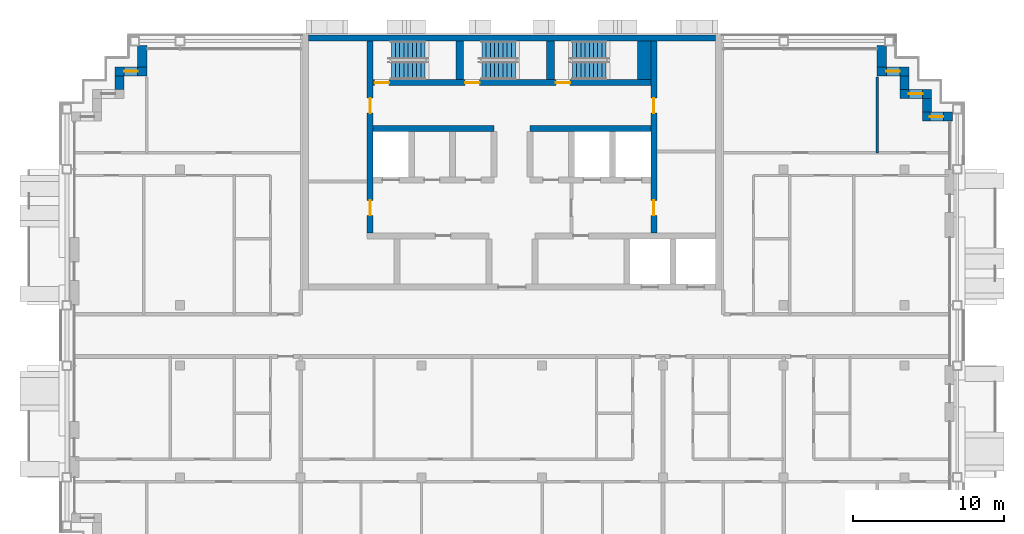
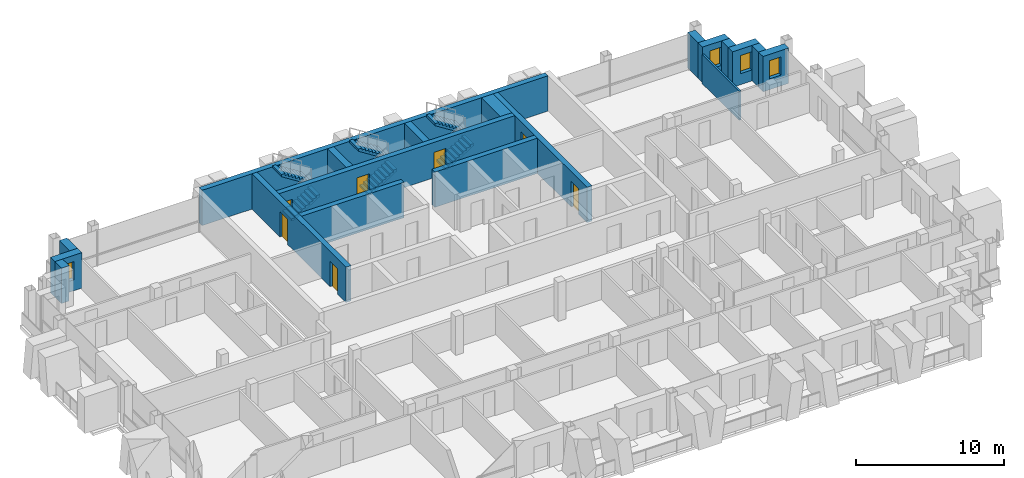
# One storey, part 11 of 15: 19 walls, 7 doors, 6 stair flights, 4 windows, 11 openings, 3 elements without a shape of their own.
"""IFC4 building model written with IfcOpenShell, lengths in metres."""

from ifc_helpers import new_model, si_unit, direction, frame, frame_2d, origin, place, context, subcontext, project, spatial, polyline, rectangle, outline, extrude, material, layer, layer_set, type_object, element, fill, aggregate, save


model = new_model("IFC4")

# Units and contexts
model_context = context("Model", 3, precision=1e-05, world=origin(), true_north=direction((0.0, 1.0)))
body_context = subcontext(model_context, "Body", "Model", "MODEL_VIEW")
ifc_project = project(units=[si_unit("LENGTHUNIT", "METRE"), si_unit("AREAUNIT", "SQUARE_METRE"), si_unit("VOLUMEUNIT", "CUBIC_METRE"), si_unit("PLANEANGLEUNIT", "RADIAN"), si_unit("MASSUNIT", "GRAM", prefix="KILO")], contexts=[model_context])

# Site, building, storey
site_placement = place(None, origin())
site = spatial("IfcSite", under=ifc_project, at=site_placement, CompositionType="ELEMENT")
building_placement = place(site_placement, origin())
building = spatial("IfcBuilding", under=site, at=building_placement, Name="Vidyagriha Tower", CompositionType="ELEMENT")
storey_placement = place(building_placement, frame((0.0, 0.0, 210.800048828125)))
storey = spatial("IfcBuildingStorey", under=building, at=storey_placement, Name="L54", CompositionType="ELEMENT", Elevation=210.800048828125)

# Wall, opening, window
ifc_material_1 = material(Name="Precast concrete C40/50 with brick facing", Category="concrete")
ifc_layer_1 = layer(ifc_material_1, 0.60009765625)
ifc_layer_set_1 = layer_set([ifc_layer_1], Name="Precast concrete C40/50 with brick facing")
wall_type_1 = type_object("IfcWallType", Name="Brick-faced precast wall 600", PredefinedType="STANDARD", material=ifc_layer_set_1)
wall_1_placement = place(storey_placement, frame((29.199951171875, 14.5, 0.0), z_axis=(0.0, 0.0, 1.0), x_axis=(-1.0, 0.0, 0.0)))
wall_1 = element("IfcWall", 1, at=wall_1_placement, inside=storey, type_object=wall_type_1, Name="Stepped corner wall L54 R01", PredefinedType="STANDARD", context=body_context, shape_type="SweptSolid", body=[
    extrude(rectangle(XDim=2.0, YDim=0.60009765625, at=frame_2d((1.0, 0.0))), origin(), (0.0, 0.0, 1.0), 2.919921875),
])
opening_1_placement = place(wall_1_placement, frame((0.610107421875, 0.0, 0.89990234375)))
opening_1 = element("IfcOpeningElement", 2, at=opening_1_placement, cuts=wall_1, Name="Opening WN1", PredefinedType="OPENING", context=body_context, shape_type="SweptSolid", body=[
    extrude(rectangle(XDim=0.89990234375, YDim=1.5, at=frame_2d((0.449951171875, 0.75))), frame((0.0, 0.31005859375, 0.0), z_axis=(0.0, -1.0, 0.0), x_axis=(1.0, 0.0, 0.0)), (0.0, 0.0, 1.0), 0.6201171875),
])
ifc_material_2 = material(Name="Aluminium and glass window", Category="aluminium")
window_type = type_object("IfcWindowType", Name="Reveal window 900x1500", PartitioningType="NOTDEFINED", PredefinedType="WINDOW", material=ifc_material_2)
window_1_placement = place(opening_1_placement, origin())
window_1 = element("IfcWindow", 3, at=window_1_placement, inside=storey, type_object=window_type, Name="Reveal window L54 R01", OverallHeight=1.5, OverallWidth=0.89990234375, PartitioningType="SINGLE_PANEL", PredefinedType="WINDOW", context=body_context, shape_type="SweptSolid", body=[
    extrude(rectangle(XDim=0.89990234375, YDim=1.5, at=frame_2d((0.449951171875, 0.75))), frame((0.0, 0.030029296875, 0.0), z_axis=(0.0, -1.0, 0.0), x_axis=(1.0, 0.0, 0.0)), (0.0, 0.0, 1.0), 0.06005859375),
])
fill(opening_1, window_1)

# Wall
wall_2_placement = place(storey_placement, frame((27.5, 14.800048828125, 0.0), z_axis=(0.0, 0.0, 1.0), x_axis=(0.0, 1.0, 0.0)))
element("IfcWall", 4, at=wall_2_placement, inside=storey, type_object=wall_type_1, Name="Stepped corner wall L54 R02", PredefinedType="STANDARD", context=body_context, shape_type="SweptSolid", body=[
    extrude(rectangle(XDim=0.89990234375, YDim=0.60009765625, at=frame_2d((0.449951171875, 0.0))), origin(), (0.0, 0.0, 1.0), 2.919921875),
])

# Wall, opening, window
wall_3_placement = place(storey_placement, frame((27.800048828125, 16.0, 0.0), z_axis=(0.0, 0.0, 1.0), x_axis=(-1.0, 0.0, 0.0)))
wall_3 = element("IfcWall", 5, at=wall_3_placement, inside=storey, type_object=wall_type_1, Name="Stepped corner wall L54 R03", PredefinedType="STANDARD", context=body_context, shape_type="SweptSolid", body=[
    extrude(rectangle(XDim=2.10009765625, YDim=0.60009765625, at=frame_2d((1.050048828125, 0.0))), origin(), (0.0, 0.0, 1.0), 2.919921875),
])
opening_2_placement = place(wall_3_placement, frame((0.60009765625, 0.0, 0.89990234375)))
opening_2 = element("IfcOpeningElement", 6, at=opening_2_placement, cuts=wall_3, Name="Opening WN1", PredefinedType="OPENING", context=body_context, shape_type="SweptSolid", body=[
    extrude(rectangle(XDim=0.89990234375, YDim=1.5, at=frame_2d((0.449951171875, 0.75))), frame((0.0, 0.31005859375, 0.0), z_axis=(0.0, -1.0, 0.0), x_axis=(1.0, 0.0, 0.0)), (0.0, 0.0, 1.0), 0.6201171875),
])
window_2_placement = place(opening_2_placement, origin())
window_2 = element("IfcWindow", 7, at=window_2_placement, inside=storey, type_object=window_type, Name="Reveal window L54 R03", OverallHeight=1.5, OverallWidth=0.89990234375, PartitioningType="SINGLE_PANEL", PredefinedType="WINDOW", context=body_context, shape_type="SweptSolid", body=[
    extrude(rectangle(XDim=0.89990234375, YDim=1.5, at=frame_2d((0.449951171875, 0.75))), frame((0.0, 0.030029296875, 0.0), z_axis=(0.0, -1.0, 0.0), x_axis=(1.0, 0.0, 0.0)), (0.0, 0.0, 1.0), 0.06005859375),
])
fill(opening_2, window_2)

# Wall
wall_4_placement = place(storey_placement, frame((26.0, 16.300048828125, 0.0), z_axis=(0.0, 0.0, 1.0), x_axis=(0.0, 1.0, 0.0)))
element("IfcWall", 8, at=wall_4_placement, inside=storey, type_object=wall_type_1, Name="Stepped corner wall L54 R04", PredefinedType="STANDARD", context=body_context, shape_type="SweptSolid", body=[
    extrude(rectangle(XDim=0.89990234375, YDim=0.60009765625, at=frame_2d((0.449951171875, 0.0))), origin(), (0.0, 0.0, 1.0), 2.919921875),
])

# Wall, opening, window
wall_5_placement = place(storey_placement, frame((26.300048828125, 17.5, 0.0), z_axis=(0.0, 0.0, 1.0), x_axis=(-1.0, 0.0, 0.0)))
wall_5 = element("IfcWall", 9, at=wall_5_placement, inside=storey, type_object=wall_type_1, Name="Stepped corner wall L54 R05", PredefinedType="STANDARD", context=body_context, shape_type="SweptSolid", body=[
    extrude(rectangle(XDim=2.10009765625, YDim=0.60009765625, at=frame_2d((1.050048828125, 0.0))), origin(), (0.0, 0.0, 1.0), 2.919921875),
])
opening_3_placement = place(wall_5_placement, frame((0.60009765625, 0.0, 0.89990234375)))
opening_3 = element("IfcOpeningElement", 10, at=opening_3_placement, cuts=wall_5, Name="Opening WN1", PredefinedType="OPENING", context=body_context, shape_type="SweptSolid", body=[
    extrude(rectangle(XDim=0.89990234375, YDim=1.5, at=frame_2d((0.449951171875, 0.75))), frame((0.0, 0.31005859375, 0.0), z_axis=(0.0, -1.0, 0.0), x_axis=(1.0, 0.0, 0.0)), (0.0, 0.0, 1.0), 0.6201171875),
])
window_3_placement = place(opening_3_placement, origin())
window_3 = element("IfcWindow", 11, at=window_3_placement, inside=storey, type_object=window_type, Name="Reveal window L54 R05", OverallHeight=1.5, OverallWidth=0.89990234375, PartitioningType="SINGLE_PANEL", PredefinedType="WINDOW", context=body_context, shape_type="SweptSolid", body=[
    extrude(rectangle(XDim=0.89990234375, YDim=1.5, at=frame_2d((0.449951171875, 0.75))), frame((0.0, 0.030029296875, 0.0), z_axis=(0.0, -1.0, 0.0), x_axis=(1.0, 0.0, 0.0)), (0.0, 0.0, 1.0), 0.06005859375),
])
fill(opening_3, window_3)

# Walls
for number, where, z_axis, x_axis, name in (
    (12, (24.5, 17.800048828125, 0.0), (0.0, 0.0, 1.0), (0.0, 1.0, 0.0), "Stepped corner wall L54 R06"),
    (13, (-24.5, 19.199951171875, 0.0), (0.0, 0.0, 1.0), (0.0, -1.0, 0.0), "Stepped corner wall L54 R10"),
):
    element("IfcWall", number, at=place(storey_placement, frame(where, z_axis=z_axis, x_axis=x_axis)), inside=storey, type_object=wall_type_1, Name=name, PredefinedType="STANDARD", context=body_context, shape_type="SweptSolid", body=[
        extrude(rectangle(XDim=1.39990234375, YDim=0.60009765625, at=frame_2d((0.699951171875, 0.0))), origin(), (0.0, 0.0, 1.0), 2.919921875),
    ])

# Wall, opening, window
wall_6_placement = place(storey_placement, frame((-24.199951171875, 17.5, 0.0), z_axis=(0.0, 0.0, 1.0), x_axis=(-1.0, 0.0, 0.0)))
wall_6 = element("IfcWall", 14, at=wall_6_placement, inside=storey, type_object=wall_type_1, Name="Stepped corner wall L54 R11", PredefinedType="STANDARD", context=body_context, shape_type="SweptSolid", body=[
    extrude(rectangle(XDim=2.10009765625, YDim=0.60009765625, at=frame_2d((1.050048828125, 0.0))), origin(), (0.0, 0.0, 1.0), 2.919921875),
])
opening_4_placement = place(wall_6_placement, frame((0.60009765625, 0.0, 0.89990234375)))
opening_4 = element("IfcOpeningElement", 15, at=opening_4_placement, cuts=wall_6, Name="Opening WN1", PredefinedType="OPENING", context=body_context, shape_type="SweptSolid", body=[
    extrude(rectangle(XDim=0.89990234375, YDim=1.5, at=frame_2d((0.449951171875, 0.75))), frame((0.0, 0.31005859375, 0.0), z_axis=(0.0, -1.0, 0.0), x_axis=(1.0, 0.0, 0.0)), (0.0, 0.0, 1.0), 0.6201171875),
])
window_4_placement = place(opening_4_placement, origin())
window_4 = element("IfcWindow", 16, at=window_4_placement, inside=storey, type_object=window_type, Name="Reveal window L54 R11", OverallHeight=1.5, OverallWidth=0.89990234375, PartitioningType="SINGLE_PANEL", PredefinedType="WINDOW", context=body_context, shape_type="SweptSolid", body=[
    extrude(rectangle(XDim=0.89990234375, YDim=1.5, at=frame_2d((0.449951171875, 0.75))), frame((0.0, 0.030029296875, 0.0), z_axis=(0.0, -1.0, 0.0), x_axis=(1.0, 0.0, 0.0)), (0.0, 0.0, 1.0), 0.06005859375),
])
fill(opening_4, window_4)

# Walls
wall_7_placement = place(storey_placement, frame((-26.0, 17.199951171875, 0.0), z_axis=(0.0, 0.0, 1.0), x_axis=(0.0, -1.0, 0.0)))
element("IfcWall", 17, at=wall_7_placement, inside=storey, type_object=wall_type_1, Name="Stepped corner wall L54 R12", PredefinedType="STANDARD", context=body_context, shape_type="SweptSolid", body=[
    extrude(rectangle(XDim=0.89990234375, YDim=0.60009765625, at=frame_2d((0.449951171875, 0.0))), origin(), (0.0, 0.0, 1.0), 2.919921875),
])
ifc_material_3 = material(Name="Concrete C60/75", Category="concrete")
ifc_layer_2 = layer(ifc_material_3, 0.39990234375)
ifc_layer_set_2 = layer_set([ifc_layer_2], Name="Concrete C60/75")
wall_type_2 = type_object("IfcWallType", Name="Core shear wall 400 mm", PredefinedType="SHEAR", material=ifc_layer_set_2)
wall_8_placement = place(storey_placement, frame((-13.5, 19.699951171875, 0.0)))
element("IfcWall", 18, at=wall_8_placement, inside=storey, type_object=wall_type_2, Name="Core north wall", PredefinedType="SHEAR", context=body_context, shape_type="SweptSolid", body=[
    extrude(rectangle(XDim=27.0, YDim=0.39990234375, at=frame_2d((13.5, 0.0))), origin(), (0.0, 0.0, 1.0), 2.919921875),
])

# Wall, openings, doors
wall_9_placement = place(storey_placement, frame((-9.39990234375, 6.800048828125, 0.0), z_axis=(0.0, 0.0, 1.0), x_axis=(0.0, 1.0, 0.0)))
wall_9 = element("IfcWall", 19, at=wall_9_placement, inside=storey, type_object=wall_type_2, Name="Core west spine wall", PredefinedType="SHEAR", context=body_context, shape_type="SweptSolid", body=[
    extrude(rectangle(XDim=12.699951171875, YDim=0.39990234375, at=frame_2d((6.35009765625, 0.0))), origin(), (0.0, 0.0, 1.0), 2.919921875),
])
opening_5_placement = place(wall_9_placement, frame((1.14990234375, 0.0, 0.0)))
opening_5 = element("IfcOpeningElement", 20, at=opening_5_placement, cuts=wall_9, Name="Opening D54-11", PredefinedType="OPENING", context=body_context, shape_type="SweptSolid", body=[
    extrude(rectangle(XDim=1.0, YDim=2.10009765625, at=frame_2d((0.5, 1.050048828125))), frame((0.0, 0.2099609375, 0.0), z_axis=(0.0, -1.0, 0.0), x_axis=(1.0, 0.0, 0.0)), (0.0, 0.0, 1.0), 0.419921875),
])
opening_6_placement = place(wall_9_placement, frame((7.925048828125, 0.0, 0.0)))
opening_6 = element("IfcOpeningElement", 21, at=opening_6_placement, cuts=wall_9, Name="Opening D54-12", PredefinedType="OPENING", context=body_context, shape_type="SweptSolid", body=[
    extrude(rectangle(XDim=1.0, YDim=2.10009765625, at=frame_2d((0.5, 1.050048828125))), frame((0.0, 0.2099609375, 0.0), z_axis=(0.0, -1.0, 0.0), x_axis=(1.0, 0.0, 0.0)), (0.0, 0.0, 1.0), 0.419921875),
])
ifc_material_4 = material(Name="Hollow metal door leaf")
door_type_1 = type_object("IfcDoorType", Name="Core room door 1000 x 2100 mm EI 60", OperationType="NOTDEFINED", PredefinedType="DOOR", material=ifc_material_4)
door_1_placement = place(opening_5_placement, frame((1.0, 0.0, 0.0), z_axis=(0.0, 0.0, 1.0), x_axis=(-1.0, 0.0, 0.0)))
door_1 = element("IfcDoor", 22, at=door_1_placement, inside=storey, type_object=door_type_1, Name="Door Cleaners Store 54.W1", OperationType="SINGLE_SWING_RIGHT", OverallHeight=2.10009765625, OverallWidth=1.0, PredefinedType="DOOR", context=body_context, shape_type="SweptSolid", body=[
    extrude(rectangle(XDim=1.0, YDim=2.10009765625, at=frame_2d((0.5, 1.050048828125))), frame((0.0, 0.02490234375, 0.0), z_axis=(0.0, -1.0, 0.0), x_axis=(1.0, 0.0, 0.0)), (0.0, 0.0, 1.0), 0.050048828125),
])
fill(opening_5, door_1)
door_2_placement = place(opening_6_placement, frame((1.0, 0.0, 0.0), z_axis=(0.0, 0.0, 1.0), x_axis=(-1.0, 0.0, 0.0)))
door_2 = element("IfcDoor", 23, at=door_2_placement, inside=storey, type_object=door_type_1, Name="Door Pressurisation Plant Room 54.W2", OperationType="SINGLE_SWING_LEFT", OverallHeight=2.10009765625, OverallWidth=1.0, PredefinedType="DOOR", context=body_context, shape_type="SweptSolid", body=[
    extrude(rectangle(XDim=1.0, YDim=2.10009765625, at=frame_2d((0.5, 1.050048828125))), frame((0.0, 0.02490234375, 0.0), z_axis=(0.0, -1.0, 0.0), x_axis=(1.0, 0.0, 0.0)), (0.0, 0.0, 1.0), 0.050048828125),
])
fill(opening_6, door_2)

wall_10_placement = place(storey_placement, frame((9.39990234375, 6.800048828125, 0.0), z_axis=(0.0, 0.0, 1.0), x_axis=(0.0, 1.0, 0.0)))
wall_10 = element("IfcWall", 24, at=wall_10_placement, inside=storey, type_object=wall_type_2, Name="Core east spine wall", PredefinedType="SHEAR", context=body_context, shape_type="SweptSolid", body=[
    extrude(rectangle(XDim=12.699951171875, YDim=0.39990234375, at=frame_2d((6.35009765625, 0.0))), origin(), (0.0, 0.0, 1.0), 2.919921875),
])
opening_7_placement = place(wall_10_placement, frame((1.14990234375, 0.0, 0.0)))
opening_7 = element("IfcOpeningElement", 25, at=opening_7_placement, cuts=wall_10, Name="Opening D54-13", PredefinedType="OPENING", context=body_context, shape_type="SweptSolid", body=[
    extrude(rectangle(XDim=1.0, YDim=2.10009765625, at=frame_2d((0.5, 1.050048828125))), frame((0.0, 0.2099609375, 0.0), z_axis=(0.0, -1.0, 0.0), x_axis=(1.0, 0.0, 0.0)), (0.0, 0.0, 1.0), 0.419921875),
])
opening_8_placement = place(wall_10_placement, frame((7.925048828125, 0.0, 0.0)))
opening_8 = element("IfcOpeningElement", 26, at=opening_8_placement, cuts=wall_10, Name="Opening D54-14", PredefinedType="OPENING", context=body_context, shape_type="SweptSolid", body=[
    extrude(rectangle(XDim=1.0, YDim=2.10009765625, at=frame_2d((0.5, 1.050048828125))), frame((0.0, 0.2099609375, 0.0), z_axis=(0.0, -1.0, 0.0), x_axis=(1.0, 0.0, 0.0)), (0.0, 0.0, 1.0), 0.419921875),
])
door_3_placement = place(opening_7_placement, origin())
door_3 = element("IfcDoor", 27, at=door_3_placement, inside=storey, type_object=door_type_1, Name="Door Riser Room 54.E1", OperationType="SINGLE_SWING_RIGHT", OverallHeight=2.10009765625, OverallWidth=1.0, PredefinedType="DOOR", context=body_context, shape_type="SweptSolid", body=[
    extrude(rectangle(XDim=1.0, YDim=2.10009765625, at=frame_2d((0.5, 1.050048828125))), frame((0.0, 0.02490234375, 0.0), z_axis=(0.0, -1.0, 0.0), x_axis=(1.0, 0.0, 0.0)), (0.0, 0.0, 1.0), 0.050048828125),
])
fill(opening_7, door_3)
door_4_placement = place(opening_8_placement, origin())
door_4 = element("IfcDoor", 28, at=door_4_placement, inside=storey, type_object=door_type_1, Name="Door Switchgear Room 54.E2", OperationType="SINGLE_SWING_LEFT", OverallHeight=2.10009765625, OverallWidth=1.0, PredefinedType="DOOR", context=body_context, shape_type="SweptSolid", body=[
    extrude(rectangle(XDim=1.0, YDim=2.10009765625, at=frame_2d((0.5, 1.050048828125))), frame((0.0, 0.02490234375, 0.0), z_axis=(0.0, -1.0, 0.0), x_axis=(1.0, 0.0, 0.0)), (0.0, 0.0, 1.0), 0.050048828125),
])
fill(opening_8, door_4)

# Walls
for number, where, name in (
    (29, (-9.199951171875, 13.699951171875, 0.0), "Core row N rear wall"),
    (30, (1.199951171875, 13.699951171875, 0.0), "Core row N rear wall"),
):
    element("IfcWall", number, at=place(storey_placement, frame(where)), inside=storey, type_object=wall_type_2, Name=name, PredefinedType="SHEAR", context=body_context, shape_type="SweptSolid", body=[
        extrude(rectangle(XDim=8.0, YDim=0.39990234375, at=frame_2d((4.0, 0.0))), origin(), (0.0, 0.0, 1.0), 2.919921875),
    ])

# Wall, openings, doors
wall_11_placement = place(storey_placement, frame((-9.199951171875, 16.75, 0.0)))
wall_11 = element("IfcWall", 31, at=wall_11_placement, inside=storey, type_object=wall_type_2, Name="Stair front wall", PredefinedType="SHEAR", context=body_context, shape_type="SweptSolid", body=[
    extrude(rectangle(XDim=18.39990234375, YDim=0.39990234375, at=frame_2d((9.199951171875, 0.0))), origin(), (0.0, 0.0, 1.0), 2.919921875),
])
opening_9_placement = place(wall_11_placement, frame((0.10009765625, 0.0, 0.0)))
opening_9 = element("IfcOpeningElement", 32, at=opening_9_placement, cuts=wall_11, Name="Opening D54-08", PredefinedType="OPENING", context=body_context, shape_type="SweptSolid", body=[
    extrude(rectangle(XDim=0.949951171875, YDim=2.10009765625, at=frame_2d((0.47509765625, 1.050048828125))), frame((0.0, 0.2099609375, 0.0), z_axis=(0.0, -1.0, 0.0), x_axis=(1.0, 0.0, 0.0)), (0.0, 0.0, 1.0), 0.419921875),
])
opening_10_placement = place(wall_11_placement, frame((6.10009765625, 0.0, 0.0)))
opening_10 = element("IfcOpeningElement", 33, at=opening_10_placement, cuts=wall_11, Name="Opening D54-09", PredefinedType="OPENING", context=body_context, shape_type="SweptSolid", body=[
    extrude(rectangle(XDim=0.949951171875, YDim=2.10009765625, at=frame_2d((0.47509765625, 1.050048828125))), frame((0.0, 0.2099609375, 0.0), z_axis=(0.0, -1.0, 0.0), x_axis=(1.0, 0.0, 0.0)), (0.0, 0.0, 1.0), 0.419921875),
])
opening_11_placement = place(wall_11_placement, frame((12.10009765625, 0.0, 0.0)))
opening_11 = element("IfcOpeningElement", 34, at=opening_11_placement, cuts=wall_11, Name="Opening D54-10", PredefinedType="OPENING", context=body_context, shape_type="SweptSolid", body=[
    extrude(rectangle(XDim=0.949951171875, YDim=2.10009765625, at=frame_2d((0.47509765625, 1.050048828125))), frame((0.0, 0.2099609375, 0.0), z_axis=(0.0, -1.0, 0.0), x_axis=(1.0, 0.0, 0.0)), (0.0, 0.0, 1.0), 0.419921875),
])
ifc_material_5 = material(Name="Hollow metal door leaf")
door_type_2 = type_object("IfcDoorType", Name="Exit stair door 950 x 2100 mm EI 90", OperationType="NOTDEFINED", PredefinedType="DOOR", material=ifc_material_5)
door_5_placement = place(opening_9_placement, origin())
door_5 = element("IfcDoor", 35, at=door_5_placement, inside=storey, type_object=door_type_2, Name="Stair door ST1 L54", OperationType="SINGLE_SWING_LEFT", OverallHeight=2.10009765625, OverallWidth=0.949951171875, PredefinedType="DOOR", context=body_context, shape_type="SweptSolid", body=[
    extrude(rectangle(XDim=0.949951171875, YDim=2.10009765625, at=frame_2d((0.47509765625, 1.050048828125))), frame((0.0, 0.02490234375, 0.0), z_axis=(0.0, -1.0, 0.0), x_axis=(1.0, 0.0, 0.0)), (0.0, 0.0, 1.0), 0.050048828125),
])
fill(opening_9, door_5)
door_6_placement = place(opening_10_placement, origin())
door_6 = element("IfcDoor", 36, at=door_6_placement, inside=storey, type_object=door_type_2, Name="Stair door ST2 L54", OperationType="SINGLE_SWING_LEFT", OverallHeight=2.10009765625, OverallWidth=0.949951171875, PredefinedType="DOOR", context=body_context, shape_type="SweptSolid", body=[
    extrude(rectangle(XDim=0.949951171875, YDim=2.10009765625, at=frame_2d((0.47509765625, 1.050048828125))), frame((0.0, 0.02490234375, 0.0), z_axis=(0.0, -1.0, 0.0), x_axis=(1.0, 0.0, 0.0)), (0.0, 0.0, 1.0), 0.050048828125),
])
fill(opening_10, door_6)
door_7_placement = place(opening_11_placement, origin())
door_7 = element("IfcDoor", 37, at=door_7_placement, inside=storey, type_object=door_type_2, Name="Stair door ST3 L54", OperationType="SINGLE_SWING_LEFT", OverallHeight=2.10009765625, OverallWidth=0.949951171875, PredefinedType="DOOR", context=body_context, shape_type="SweptSolid", body=[
    extrude(rectangle(XDim=0.949951171875, YDim=2.10009765625, at=frame_2d((0.47509765625, 1.050048828125))), frame((0.0, 0.02490234375, 0.0), z_axis=(0.0, -1.0, 0.0), x_axis=(1.0, 0.0, 0.0)), (0.0, 0.0, 1.0), 0.050048828125),
])
fill(opening_11, door_7)

# Walls
ifc_material_6 = material(Name="Concrete C60/75", Category="concrete")
ifc_layer_3 = layer(ifc_material_6, 0.5)
ifc_layer_set_3 = layer_set([ifc_layer_3], Name="Concrete C60/75")
wall_type_3 = type_object("IfcWallType", Name="Core shear wall 500 mm", PredefinedType="SHEAR", material=ifc_layer_set_3)
for number, where, z_axis, x_axis, name in (
    (38, (-3.449951171875, 16.949951171875, 0.0), (0.0, 0.0, 1.0), (0.0, 1.0, 0.0), "Stair partition wall 1"),
    (39, (2.550048828125, 16.949951171875, 0.0), (0.0, 0.0, 1.0), (0.0, 1.0, 0.0), "Stair partition wall 2"),
):
    element("IfcWall", number, at=place(storey_placement, frame(where, z_axis=z_axis, x_axis=x_axis)), inside=storey, type_object=wall_type_3, Name=name, PredefinedType="SHEAR", context=body_context, shape_type="SweptSolid", body=[
        extrude(rectangle(XDim=2.550048828125, YDim=0.5, at=frame_2d((1.27490234375, 0.0))), origin(), (0.0, 0.0, 1.0), 2.919921875),
    ])
ifc_material_7 = material(Name="Concrete C60/75", Category="concrete")
ifc_layer_4 = layer(ifc_material_7, 0.89990234375)
ifc_layer_set_4 = layer_set([ifc_layer_4], Name="Concrete C60/75")
wall_type_4 = type_object("IfcWallType", Name="Core shear wall 900 mm", PredefinedType="SHEAR", material=ifc_layer_set_4)
wall_12_placement = place(storey_placement, frame((8.75, 16.949951171875, 0.0), z_axis=(0.0, 0.0, 1.0), x_axis=(0.0, 1.0, 0.0)))
element("IfcWall", 40, at=wall_12_placement, inside=storey, type_object=wall_type_4, Name="Stair end wall", PredefinedType="SHEAR", context=body_context, shape_type="SweptSolid", body=[
    extrude(rectangle(XDim=2.550048828125, YDim=0.89990234375, at=frame_2d((1.27490234375, 0.0))), origin(), (0.0, 0.0, 1.0), 2.919921875),
])
ifc_material_8 = material(Name="Gypsum board partition")
ifc_layer_5 = layer(ifc_material_8, 0.14990234375)
ifc_layer_set_5 = layer_set([ifc_layer_5], Name="Gypsum board partition")
wall_type_5 = type_object("IfcWallType", Name="Gypsum board partition 150", PredefinedType="PARTITIONING", material=ifc_layer_set_5)
wall_13_placement = place(storey_placement, frame((24.199951171875, 17.1201171875, 0.0), z_axis=(0.0, 0.0, 1.0), x_axis=(0.0, -1.0, 0.0)))
element("IfcWall", 41, at=wall_13_placement, inside=storey, type_object=wall_type_5, Name="Wall all-L54-w093", PredefinedType="PARTITIONING", context=body_context, shape_type="SweptSolid", body=[
    extrude(rectangle(XDim=5.02001953125, YDim=0.14990234375, at=frame_2d((2.510009765625, 0.0))), origin(), (0.0, 0.0, 1.0), 2.39990234375),
])

# Stair, stair flights
ifc_material_9 = material(Name="Concrete C40/50", Category="concrete")
stair_type = type_object("IfcStairType", Name="Exit stair, half-turn, precast flights", PredefinedType="HALF_TURN_STAIR", material=ifc_material_9)
stair_1_placement = place(storey_placement, origin())
stair_1 = element("IfcStair", 42, at=stair_1_placement, inside=storey, type_object=stair_type, Name="L54 Exit Stair ST1", PredefinedType="HALF_TURN_STAIR")
ifc_material_10 = material(Name="Precast concrete C40/50", Category="concrete")
stair_flight_type = type_object("IfcStairFlightType", Name="Exit stair flight 1200 mm, precast", PredefinedType="STRAIGHT", material=ifc_material_10)
stair_flight_1_placement = place(storey_placement, frame((-8.0, 17.550048828125, 0.0)))
stair_flight_1 = element("IfcStairFlight", 43, at=stair_flight_1_placement, type_object=stair_flight_type, Name="ST1 flight 1", NumberOfRisers=9, NumberOfTreads=8, PredefinedType="STRAIGHT", RiserHeight=0.177777778, TreadLength=0.28, context=body_context, shape_type="SweptSolid", body=[
    extrude(outline(polyline([(0.0, 0.0), (0.0, 0.177734375), (0.280029296875, 0.177734375), (0.280029296875, 0.35546875), (0.56005859375, 0.35546875), (0.56005859375, 0.533447265625), (0.840087890625, 0.533447265625), (0.840087890625, 0.711181640625), (1.1201171875, 0.711181640625), (1.1201171875, 0.888916015625), (1.39990234375, 0.888916015625), (1.39990234375, 1.066650390625), (1.679931640625, 1.066650390625), (1.679931640625, 1.244384765625), (1.9599609375, 1.244384765625), (1.9599609375, 1.422119140625), (2.239990234375, 1.422119140625), (2.239990234375, 1.60009765625), (2.239990234375, 1.24462890625), (0.27978515625, 0.0), (0.0, 0.0)])), frame((0.0, 0.60009765625, 0.0), z_axis=(0.0, -1.0, 0.0), x_axis=(1.0, 0.0, 0.0)), (0.0, 0.0, 1.0), 1.199951171875),
])
stair_flight_2_placement = place(storey_placement, frame((-5.760009765625, 18.89990234375, 1.599853515625), z_axis=(0.0, 0.0, 1.0), x_axis=(-1.0, 0.0, 0.0)))
stair_flight_2 = element("IfcStairFlight", 44, at=stair_flight_2_placement, type_object=stair_flight_type, Name="ST1 flight 2", NumberOfRisers=9, NumberOfTreads=8, PredefinedType="STRAIGHT", RiserHeight=0.177777778, TreadLength=0.28, context=body_context, shape_type="SweptSolid", body=[
    extrude(outline(polyline([(0.0, 0.0), (0.0, 0.177734375), (0.280029296875, 0.177734375), (0.280029296875, 0.35546875), (0.56005859375, 0.35546875), (0.56005859375, 0.533447265625), (0.840087890625, 0.533447265625), (0.840087890625, 0.711181640625), (1.1201171875, 0.711181640625), (1.1201171875, 0.888916015625), (1.39990234375, 0.888916015625), (1.39990234375, 1.066650390625), (1.679931640625, 1.066650390625), (1.679931640625, 1.244384765625), (1.9599609375, 1.244384765625), (1.9599609375, 1.422119140625), (2.239990234375, 1.422119140625), (2.239990234375, 1.60009765625), (2.239990234375, 1.24462890625), (0.27978515625, 0.0), (0.0, 0.0)])), frame((0.0, 0.60009765625, 0.0), z_axis=(0.0, -1.0, 0.0), x_axis=(1.0, 0.0, 0.0)), (0.0, 0.0, 1.0), 1.199951171875),
])
aggregate(stair_1, [stair_flight_1, stair_flight_2])

stair_2_placement = place(storey_placement, origin())
stair_2 = element("IfcStair", 45, at=stair_2_placement, inside=storey, type_object=stair_type, Name="L54 Exit Stair ST2", PredefinedType="HALF_TURN_STAIR")
stair_flight_3_placement = place(storey_placement, frame((-2.0, 17.550048828125, 0.0)))
stair_flight_3 = element("IfcStairFlight", 46, at=stair_flight_3_placement, type_object=stair_flight_type, Name="ST2 flight 1", NumberOfRisers=9, NumberOfTreads=8, PredefinedType="STRAIGHT", RiserHeight=0.177777778, TreadLength=0.28, context=body_context, shape_type="SweptSolid", body=[
    extrude(outline(polyline([(0.0, 0.0), (0.0, 0.177734375), (0.280029296875, 0.177734375), (0.280029296875, 0.35546875), (0.56005859375, 0.35546875), (0.56005859375, 0.533447265625), (0.840087890625, 0.533447265625), (0.840087890625, 0.711181640625), (1.1201171875, 0.711181640625), (1.1201171875, 0.888916015625), (1.39990234375, 0.888916015625), (1.39990234375, 1.066650390625), (1.679931640625, 1.066650390625), (1.679931640625, 1.244384765625), (1.9599609375, 1.244384765625), (1.9599609375, 1.422119140625), (2.239990234375, 1.422119140625), (2.239990234375, 1.60009765625), (2.239990234375, 1.24462890625), (0.27978515625, 0.0), (0.0, 0.0)])), frame((0.0, 0.60009765625, 0.0), z_axis=(0.0, -1.0, 0.0), x_axis=(1.0, 0.0, 0.0)), (0.0, 0.0, 1.0), 1.199951171875),
])
stair_flight_4_placement = place(storey_placement, frame((0.239990234375, 18.89990234375, 1.599853515625), z_axis=(0.0, 0.0, 1.0), x_axis=(-1.0, 0.0, 0.0)))
stair_flight_4 = element("IfcStairFlight", 47, at=stair_flight_4_placement, type_object=stair_flight_type, Name="ST2 flight 2", NumberOfRisers=9, NumberOfTreads=8, PredefinedType="STRAIGHT", RiserHeight=0.177777778, TreadLength=0.28, context=body_context, shape_type="SweptSolid", body=[
    extrude(outline(polyline([(0.0, 0.0), (0.0, 0.177734375), (0.280029296875, 0.177734375), (0.280029296875, 0.35546875), (0.56005859375, 0.35546875), (0.56005859375, 0.533447265625), (0.840087890625, 0.533447265625), (0.840087890625, 0.711181640625), (1.1201171875, 0.711181640625), (1.1201171875, 0.888916015625), (1.39990234375, 0.888916015625), (1.39990234375, 1.066650390625), (1.679931640625, 1.066650390625), (1.679931640625, 1.244384765625), (1.9599609375, 1.244384765625), (1.9599609375, 1.422119140625), (2.239990234375, 1.422119140625), (2.239990234375, 1.60009765625), (2.239990234375, 1.24462890625), (0.27978515625, 0.0), (0.0, 0.0)])), frame((0.0, 0.60009765625, 0.0), z_axis=(0.0, -1.0, 0.0), x_axis=(1.0, 0.0, 0.0)), (0.0, 0.0, 1.0), 1.199951171875),
])
aggregate(stair_2, [stair_flight_3, stair_flight_4])

stair_3_placement = place(storey_placement, origin())
stair_3 = element("IfcStair", 48, at=stair_3_placement, inside=storey, type_object=stair_type, Name="L54 Exit Stair ST3", PredefinedType="HALF_TURN_STAIR")
stair_flight_5_placement = place(storey_placement, frame((4.0, 17.550048828125, 0.0)))
stair_flight_5 = element("IfcStairFlight", 49, at=stair_flight_5_placement, type_object=stair_flight_type, Name="ST3 flight 1", NumberOfRisers=9, NumberOfTreads=8, PredefinedType="STRAIGHT", RiserHeight=0.177777778, TreadLength=0.28, context=body_context, shape_type="SweptSolid", body=[
    extrude(outline(polyline([(0.0, 0.0), (0.0, 0.177734375), (0.280029296875, 0.177734375), (0.280029296875, 0.35546875), (0.56005859375, 0.35546875), (0.56005859375, 0.533447265625), (0.840087890625, 0.533447265625), (0.840087890625, 0.711181640625), (1.1201171875, 0.711181640625), (1.1201171875, 0.888916015625), (1.39990234375, 0.888916015625), (1.39990234375, 1.066650390625), (1.679931640625, 1.066650390625), (1.679931640625, 1.244384765625), (1.9599609375, 1.244384765625), (1.9599609375, 1.422119140625), (2.239990234375, 1.422119140625), (2.239990234375, 1.60009765625), (2.239990234375, 1.24462890625), (0.27978515625, 0.0), (0.0, 0.0)])), frame((0.0, 0.60009765625, 0.0), z_axis=(0.0, -1.0, 0.0), x_axis=(1.0, 0.0, 0.0)), (0.0, 0.0, 1.0), 1.199951171875),
])
stair_flight_6_placement = place(storey_placement, frame((6.239990234375, 18.89990234375, 1.599853515625), z_axis=(0.0, 0.0, 1.0), x_axis=(-1.0, 0.0, 0.0)))
stair_flight_6 = element("IfcStairFlight", 50, at=stair_flight_6_placement, type_object=stair_flight_type, Name="ST3 flight 2", NumberOfRisers=9, NumberOfTreads=8, PredefinedType="STRAIGHT", RiserHeight=0.177777778, TreadLength=0.28, context=body_context, shape_type="SweptSolid", body=[
    extrude(outline(polyline([(0.0, 0.0), (0.0, 0.177734375), (0.280029296875, 0.177734375), (0.280029296875, 0.35546875), (0.56005859375, 0.35546875), (0.56005859375, 0.533447265625), (0.840087890625, 0.533447265625), (0.840087890625, 0.711181640625), (1.1201171875, 0.711181640625), (1.1201171875, 0.888916015625), (1.39990234375, 0.888916015625), (1.39990234375, 1.066650390625), (1.679931640625, 1.066650390625), (1.679931640625, 1.244384765625), (1.9599609375, 1.244384765625), (1.9599609375, 1.422119140625), (2.239990234375, 1.422119140625), (2.239990234375, 1.60009765625), (2.239990234375, 1.24462890625), (0.27978515625, 0.0), (0.0, 0.0)])), frame((0.0, 0.60009765625, 0.0), z_axis=(0.0, -1.0, 0.0), x_axis=(1.0, 0.0, 0.0)), (0.0, 0.0, 1.0), 1.199951171875),
])
aggregate(stair_3, [stair_flight_5, stair_flight_6])

save(model, "model.ifc")
